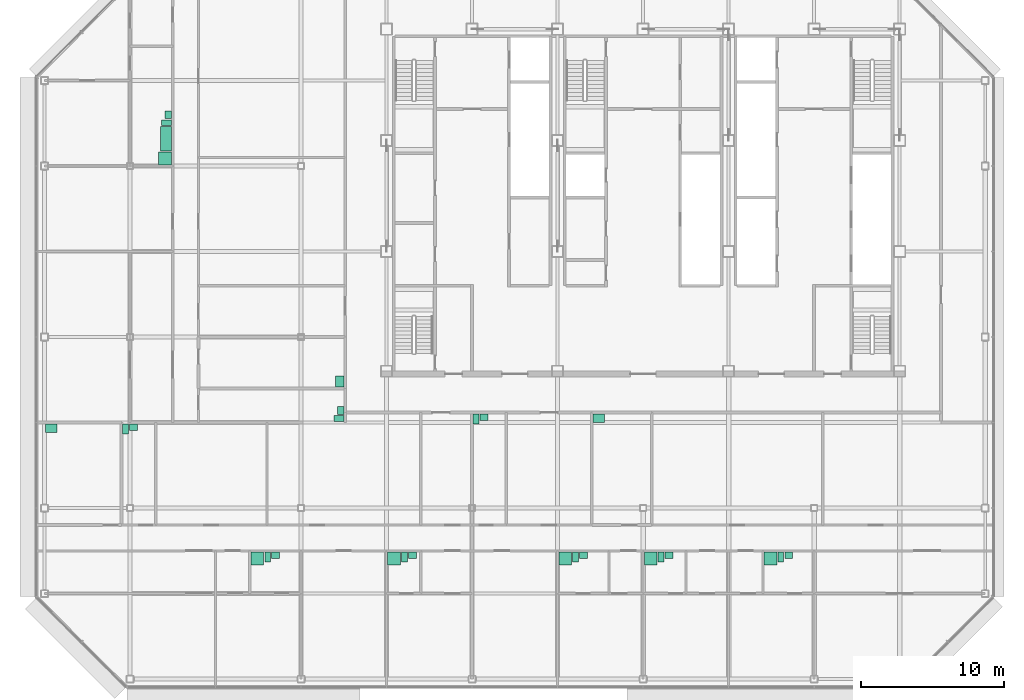
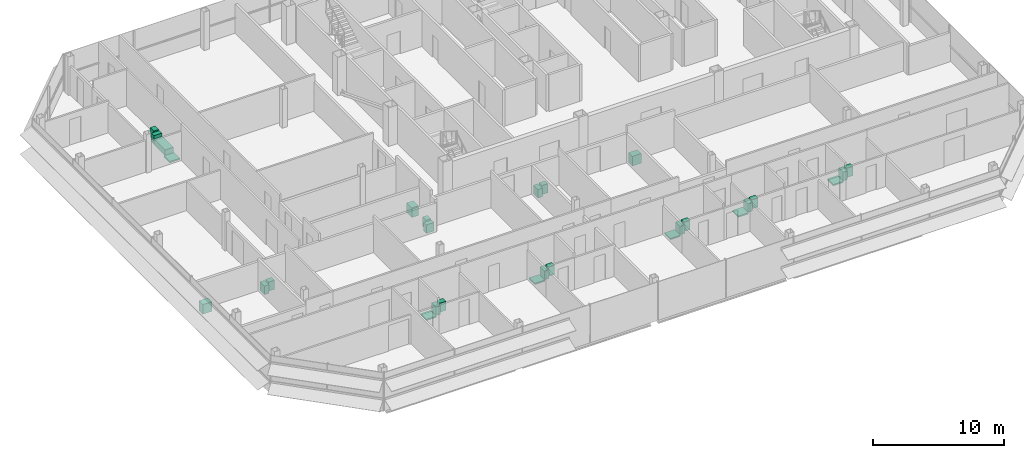
# One storey, part 28 of 28: 28 sanitary terminals.
"""IFC4 building model written with IfcOpenShell, lengths in metres."""

from ifc_helpers import new_model, si_unit, direction, frame, origin, origin_2d, place, context, subcontext, project, spatial, rectangle, extrude, element, save


model = new_model("IFC4")

# Units and contexts
model_context = context("Model", 3, precision=1e-05, world=origin(), true_north=direction((0.0, 1.0)))
body_context = subcontext(model_context, "Body", "Model", "MODEL_VIEW")
ifc_project = project(units=[si_unit("LENGTHUNIT", "METRE"), si_unit("AREAUNIT", "SQUARE_METRE"), si_unit("VOLUMEUNIT", "CUBIC_METRE"), si_unit("PLANEANGLEUNIT", "RADIAN"), si_unit("MASSUNIT", "GRAM", prefix="KILO")], contexts=[model_context])

# Site, building, storey
site_placement = place(None, origin())
site = spatial("IfcSite", under=ifc_project, at=site_placement, CompositionType="ELEMENT")
building_placement = place(site_placement, origin())
building = spatial("IfcBuilding", under=site, at=building_placement, Name="Sorahane Residences", CompositionType="ELEMENT")
storey_placement = place(building_placement, frame((0.0, 0.0, 301.60009765625)))
storey = spatial("IfcBuildingStorey", under=building, at=storey_placement, Name="L71", CompositionType="ELEMENT", Elevation=301.60009765625)

# Sanitary terminals
sanitary_terminal_1_placement = place(storey_placement, frame((-3.070068359375, 8.449951171875, -0.000244140625), z_axis=(0.0, 0.0, 1.0), x_axis=(1.0, 0.0, 0.0)))
element("IfcSanitaryTerminal", 1, at=sanitary_terminal_1_placement, inside=storey, Name="Shower tray En-suite bathroom 71A", PredefinedType="SHOWER", context=body_context, shape_type="SweptSolid", body=[
    extrude(rectangle(XDim=0.89990234375, YDim=0.89990234375, at=origin_2d()), origin(), (0.0, 0.0, 1.0), 0.1201171875),
])
sanitary_terminal_2_placement = place(storey_placement, frame((-2.340087890625, 8.550048828125, 0.0), z_axis=(0.0, 0.0, 1.0), x_axis=(1.0, 0.0, 0.0)))
element("IfcSanitaryTerminal", 2, at=sanitary_terminal_2_placement, inside=storey, Name="WC pan En-suite bathroom 71A", PredefinedType="TOILETPAN", context=body_context, shape_type="SweptSolid", body=[
    extrude(rectangle(XDim=0.39990234375, YDim=0.699951171875, at=origin_2d()), origin(), (0.0, 0.0, 1.0), 0.800048828125),
])
sanitary_terminal_3_placement = place(storey_placement, frame((-1.784912109375, 8.675048828125, -0.000244140625), z_axis=(0.0, 0.0, 1.0), x_axis=(1.0, 0.0, 0.0)))
element("IfcSanitaryTerminal", 3, at=sanitary_terminal_3_placement, inside=storey, Name="Wash basin En-suite bathroom 71A", PredefinedType="WASHHANDBASIN", context=body_context, shape_type="SweptSolid", body=[
    extrude(rectangle(XDim=0.550048828125, YDim=0.449951171875, at=origin_2d()), origin(), (0.0, 0.0, 1.0), 0.85009765625),
])
sanitary_terminal_4_placement = place(storey_placement, frame((6.530029296875, 8.449951171875, -0.000244140625), z_axis=(0.0, 0.0, 1.0), x_axis=(1.0, 0.0, 0.0)))
element("IfcSanitaryTerminal", 4, at=sanitary_terminal_4_placement, inside=storey, Name="Shower tray En-suite bathroom 71A-2", PredefinedType="SHOWER", context=body_context, shape_type="SweptSolid", body=[
    extrude(rectangle(XDim=0.89990234375, YDim=0.89990234375, at=origin_2d()), origin(), (0.0, 0.0, 1.0), 0.1201171875),
])
sanitary_terminal_5_placement = place(storey_placement, frame((7.260009765625, 8.550048828125, 0.0), z_axis=(0.0, 0.0, 1.0), x_axis=(1.0, 0.0, 0.0)))
element("IfcSanitaryTerminal", 5, at=sanitary_terminal_5_placement, inside=storey, Name="WC pan En-suite bathroom 71A-2", PredefinedType="TOILETPAN", context=body_context, shape_type="SweptSolid", body=[
    extrude(rectangle(XDim=0.39990234375, YDim=0.699951171875, at=origin_2d()), origin(), (0.0, 0.0, 1.0), 0.800048828125),
])
sanitary_terminal_6_placement = place(storey_placement, frame((7.81494140625, 8.675048828125, -0.000244140625), z_axis=(0.0, 0.0, 1.0), x_axis=(1.0, 0.0, 0.0)))
element("IfcSanitaryTerminal", 6, at=sanitary_terminal_6_placement, inside=storey, Name="Wash basin En-suite bathroom 71A-2", PredefinedType="WASHHANDBASIN", context=body_context, shape_type="SweptSolid", body=[
    extrude(rectangle(XDim=0.550048828125, YDim=0.449951171875, at=origin_2d()), origin(), (0.0, 0.0, 1.0), 0.85009765625),
])
sanitary_terminal_7_placement = place(storey_placement, frame((-17.52001953125, 17.60009765625, 0.0), z_axis=(0.0, 0.0, 1.0), x_axis=(1.0, 0.0, 0.0)))
element("IfcSanitaryTerminal", 7, at=sanitary_terminal_7_placement, inside=storey, Name="Kitchen sink Kitchen 71A", PredefinedType="SINK", context=body_context, shape_type="SweptSolid", body=[
    extrude(rectangle(XDim=0.800048828125, YDim=0.60009765625, at=origin_2d()), origin(), (0.0, 0.0, 1.0), 0.89990234375),
])
sanitary_terminal_8_placement = place(storey_placement, frame((-12.320068359375, 17.550048828125, 0.0), z_axis=(0.0, 0.0, 1.0), x_axis=(1.0, 0.0, 0.0)))
element("IfcSanitaryTerminal", 8, at=sanitary_terminal_8_placement, inside=storey, Name="WC pan Powder room 71A", PredefinedType="TOILETPAN", context=body_context, shape_type="SweptSolid", body=[
    extrude(rectangle(XDim=0.39990234375, YDim=0.699951171875, at=origin_2d()), origin(), (0.0, 0.0, 1.0), 0.800048828125),
])
sanitary_terminal_9_placement = place(storey_placement, frame((-11.764892578125, 17.675048828125, -0.000244140625), z_axis=(0.0, 0.0, 1.0), x_axis=(1.0, 0.0, 0.0)))
element("IfcSanitaryTerminal", 9, at=sanitary_terminal_9_placement, inside=storey, Name="Wash basin Powder room 71A", PredefinedType="WASHHANDBASIN", context=body_context, shape_type="SweptSolid", body=[
    extrude(rectangle(XDim=0.550048828125, YDim=0.449951171875, at=origin_2d()), origin(), (0.0, 0.0, 1.0), 0.85009765625),
])
sanitary_terminal_10_placement = place(storey_placement, frame((18.530029296875, 8.449951171875, -0.000244140625), z_axis=(0.0, 0.0, 1.0), x_axis=(1.0, 0.0, 0.0)))
element("IfcSanitaryTerminal", 10, at=sanitary_terminal_10_placement, inside=storey, Name="Shower tray En-suite bathroom 71B", PredefinedType="SHOWER", context=body_context, shape_type="SweptSolid", body=[
    extrude(rectangle(XDim=0.89990234375, YDim=0.89990234375, at=origin_2d()), origin(), (0.0, 0.0, 1.0), 0.1201171875),
])
sanitary_terminal_11_placement = place(storey_placement, frame((19.260009765625, 8.550048828125, 0.0), z_axis=(0.0, 0.0, 1.0), x_axis=(1.0, 0.0, 0.0)))
element("IfcSanitaryTerminal", 11, at=sanitary_terminal_11_placement, inside=storey, Name="WC pan En-suite bathroom 71B", PredefinedType="TOILETPAN", context=body_context, shape_type="SweptSolid", body=[
    extrude(rectangle(XDim=0.39990234375, YDim=0.699951171875, at=origin_2d()), origin(), (0.0, 0.0, 1.0), 0.800048828125),
])
sanitary_terminal_12_placement = place(storey_placement, frame((19.81494140625, 8.675048828125, -0.000244140625), z_axis=(0.0, 0.0, 1.0), x_axis=(1.0, 0.0, 0.0)))
element("IfcSanitaryTerminal", 12, at=sanitary_terminal_12_placement, inside=storey, Name="Wash basin En-suite bathroom 71B", PredefinedType="WASHHANDBASIN", context=body_context, shape_type="SweptSolid", body=[
    extrude(rectangle(XDim=0.550048828125, YDim=0.449951171875, at=origin_2d()), origin(), (0.0, 0.0, 1.0), 0.85009765625),
])
sanitary_terminal_13_placement = place(storey_placement, frame((24.530029296875, 8.449951171875, -0.000244140625), z_axis=(0.0, 0.0, 1.0), x_axis=(1.0, 0.0, 0.0)))
element("IfcSanitaryTerminal", 13, at=sanitary_terminal_13_placement, inside=storey, Name="Shower tray En-suite bathroom 71B-2", PredefinedType="SHOWER", context=body_context, shape_type="SweptSolid", body=[
    extrude(rectangle(XDim=0.89990234375, YDim=0.89990234375, at=origin_2d()), origin(), (0.0, 0.0, 1.0), 0.1201171875),
])
sanitary_terminal_14_placement = place(storey_placement, frame((25.260009765625, 8.550048828125, 0.0), z_axis=(0.0, 0.0, 1.0), x_axis=(1.0, 0.0, 0.0)))
element("IfcSanitaryTerminal", 14, at=sanitary_terminal_14_placement, inside=storey, Name="WC pan En-suite bathroom 71B-2", PredefinedType="TOILETPAN", context=body_context, shape_type="SweptSolid", body=[
    extrude(rectangle(XDim=0.39990234375, YDim=0.699951171875, at=origin_2d()), origin(), (0.0, 0.0, 1.0), 0.800048828125),
])
sanitary_terminal_15_placement = place(storey_placement, frame((25.81494140625, 8.675048828125, -0.000244140625), z_axis=(0.0, 0.0, 1.0), x_axis=(1.0, 0.0, 0.0)))
element("IfcSanitaryTerminal", 15, at=sanitary_terminal_15_placement, inside=storey, Name="Wash basin En-suite bathroom 71B-2", PredefinedType="WASHHANDBASIN", context=body_context, shape_type="SweptSolid", body=[
    extrude(rectangle(XDim=0.550048828125, YDim=0.449951171875, at=origin_2d()), origin(), (0.0, 0.0, 1.0), 0.85009765625),
])
sanitary_terminal_16_placement = place(storey_placement, frame((32.929931640625, 8.449951171875, -0.000244140625), z_axis=(0.0, 0.0, 1.0), x_axis=(1.0, 0.0, 0.0)))
element("IfcSanitaryTerminal", 16, at=sanitary_terminal_16_placement, inside=storey, Name="Shower tray En-suite bathroom 71B-3", PredefinedType="SHOWER", context=body_context, shape_type="SweptSolid", body=[
    extrude(rectangle(XDim=0.89990234375, YDim=0.89990234375, at=origin_2d()), origin(), (0.0, 0.0, 1.0), 0.1201171875),
])
sanitary_terminal_17_placement = place(storey_placement, frame((33.659912109375, 8.550048828125, 0.0), z_axis=(0.0, 0.0, 1.0), x_axis=(1.0, 0.0, 0.0)))
element("IfcSanitaryTerminal", 17, at=sanitary_terminal_17_placement, inside=storey, Name="WC pan En-suite bathroom 71B-3", PredefinedType="TOILETPAN", context=body_context, shape_type="SweptSolid", body=[
    extrude(rectangle(XDim=0.39990234375, YDim=0.699951171875, at=origin_2d()), origin(), (0.0, 0.0, 1.0), 0.800048828125),
])
sanitary_terminal_18_placement = place(storey_placement, frame((34.215087890625, 8.675048828125, -0.000244140625), z_axis=(0.0, 0.0, 1.0), x_axis=(1.0, 0.0, 0.0)))
element("IfcSanitaryTerminal", 18, at=sanitary_terminal_18_placement, inside=storey, Name="Wash basin En-suite bathroom 71B-3", PredefinedType="WASHHANDBASIN", context=body_context, shape_type="SweptSolid", body=[
    extrude(rectangle(XDim=0.550048828125, YDim=0.449951171875, at=origin_2d()), origin(), (0.0, 0.0, 1.0), 0.85009765625),
])
sanitary_terminal_19_placement = place(storey_placement, frame((12.280029296875, 18.25, 0.0), z_axis=(0.0, 0.0, 1.0), x_axis=(1.0, 0.0, 0.0)))
element("IfcSanitaryTerminal", 19, at=sanitary_terminal_19_placement, inside=storey, Name="WC pan Powder room 71B", PredefinedType="TOILETPAN", context=body_context, shape_type="SweptSolid", body=[
    extrude(rectangle(XDim=0.39990234375, YDim=0.699951171875, at=origin_2d()), origin(), (0.0, 0.0, 1.0), 0.800048828125),
])
sanitary_terminal_20_placement = place(storey_placement, frame((12.8349609375, 18.375, -0.000244140625), z_axis=(0.0, 0.0, 1.0), x_axis=(1.0, 0.0, 0.0)))
element("IfcSanitaryTerminal", 20, at=sanitary_terminal_20_placement, inside=storey, Name="Wash basin Powder room 71B", PredefinedType="WASHHANDBASIN", context=body_context, shape_type="SweptSolid", body=[
    extrude(rectangle(XDim=0.550048828125, YDim=0.449951171875, at=origin_2d()), origin(), (0.0, 0.0, 1.0), 0.85009765625),
])
sanitary_terminal_21_placement = place(storey_placement, frame((20.8798828125, 18.300048828125, 0.0), z_axis=(0.0, 0.0, 1.0), x_axis=(1.0, 0.0, 0.0)))
element("IfcSanitaryTerminal", 21, at=sanitary_terminal_21_placement, inside=storey, Name="Kitchen sink Kitchen 71B", PredefinedType="SINK", context=body_context, shape_type="SweptSolid", body=[
    extrude(rectangle(XDim=0.800048828125, YDim=0.60009765625, at=origin_2d()), origin(), (0.0, 0.0, 1.0), 0.89990234375),
])
sanitary_terminal_22_placement = place(storey_placement, frame((-9.550048828125, 36.530029296875, -0.000244140625), z_axis=(0.0, 0.0, 1.0), x_axis=(0.0, -1.0, 0.0)))
element("IfcSanitaryTerminal", 22, at=sanitary_terminal_22_placement, inside=storey, Name="Shower tray En-suite bathroom 71C", PredefinedType="SHOWER", context=body_context, shape_type="SweptSolid", body=[
    extrude(rectangle(XDim=0.89990234375, YDim=0.89990234375, at=origin_2d()), origin(), (0.0, 0.0, 1.0), 0.1201171875),
])
sanitary_terminal_23_placement = place(storey_placement, frame((-9.47509765625, 37.909912109375, -0.000244140625), z_axis=(0.0, 0.0, 1.0), x_axis=(0.0, -1.0, 0.0)))
element("IfcSanitaryTerminal", 23, at=sanitary_terminal_23_placement, inside=storey, Name="Bath En-suite bathroom 71C", PredefinedType="BATH", context=body_context, shape_type="SweptSolid", body=[
    extrude(rectangle(XDim=1.699951171875, YDim=0.75, at=origin_2d()), origin(), (0.0, 0.0, 1.0), 0.56005859375),
])
sanitary_terminal_24_placement = place(storey_placement, frame((-9.449951171875, 39.0400390625, 0.0), z_axis=(0.0, 0.0, 1.0), x_axis=(0.0, -1.0, 0.0)))
element("IfcSanitaryTerminal", 24, at=sanitary_terminal_24_placement, inside=storey, Name="WC pan En-suite bathroom 71C", PredefinedType="TOILETPAN", context=body_context, shape_type="SweptSolid", body=[
    extrude(rectangle(XDim=0.39990234375, YDim=0.699951171875, at=origin_2d()), origin(), (0.0, 0.0, 1.0), 0.800048828125),
])
sanitary_terminal_25_placement = place(storey_placement, frame((-9.324951171875, 39.594970703125, -0.000244140625), z_axis=(0.0, 0.0, 1.0), x_axis=(0.0, -1.0, 0.0)))
element("IfcSanitaryTerminal", 25, at=sanitary_terminal_25_placement, inside=storey, Name="Wash basin En-suite bathroom 71C", PredefinedType="WASHHANDBASIN", context=body_context, shape_type="SweptSolid", body=[
    extrude(rectangle(XDim=0.550048828125, YDim=0.449951171875, at=origin_2d()), origin(), (0.0, 0.0, 1.0), 0.85009765625),
])
sanitary_terminal_26_placement = place(storey_placement, frame((2.64990234375, 18.280029296875, 0.0), z_axis=(0.0, 0.0, 1.0), x_axis=(0.0, -1.0, 0.0)))
element("IfcSanitaryTerminal", 26, at=sanitary_terminal_26_placement, inside=storey, Name="WC pan Guest WC 71C", PredefinedType="TOILETPAN", context=body_context, shape_type="SweptSolid", body=[
    extrude(rectangle(XDim=0.39990234375, YDim=0.699951171875, at=origin_2d()), origin(), (0.0, 0.0, 1.0), 0.800048828125),
])
sanitary_terminal_27_placement = place(storey_placement, frame((2.77490234375, 18.8349609375, -0.000244140625), z_axis=(0.0, 0.0, 1.0), x_axis=(0.0, -1.0, 0.0)))
element("IfcSanitaryTerminal", 27, at=sanitary_terminal_27_placement, inside=storey, Name="Wash basin Guest WC 71C", PredefinedType="WASHHANDBASIN", context=body_context, shape_type="SweptSolid", body=[
    extrude(rectangle(XDim=0.550048828125, YDim=0.449951171875, at=origin_2d()), origin(), (0.0, 0.0, 1.0), 0.85009765625),
])
sanitary_terminal_28_placement = place(storey_placement, frame((2.699951171875, 20.8798828125, 0.0), z_axis=(0.0, 0.0, 1.0), x_axis=(0.0, -1.0, 0.0)))
element("IfcSanitaryTerminal", 28, at=sanitary_terminal_28_placement, inside=storey, Name="Kitchen sink Kitchen 71C", PredefinedType="SINK", context=body_context, shape_type="SweptSolid", body=[
    extrude(rectangle(XDim=0.800048828125, YDim=0.60009765625, at=origin_2d()), origin(), (0.0, 0.0, 1.0), 0.89990234375),
])

save(model, "model.ifc")
